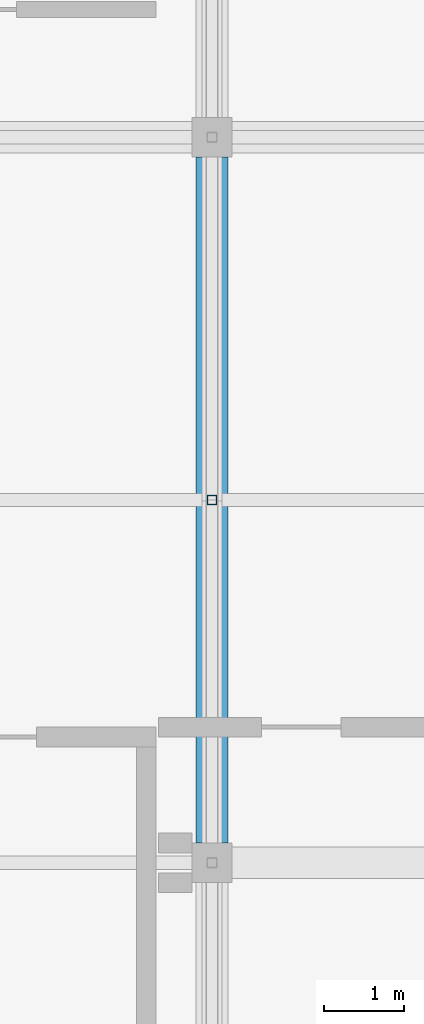
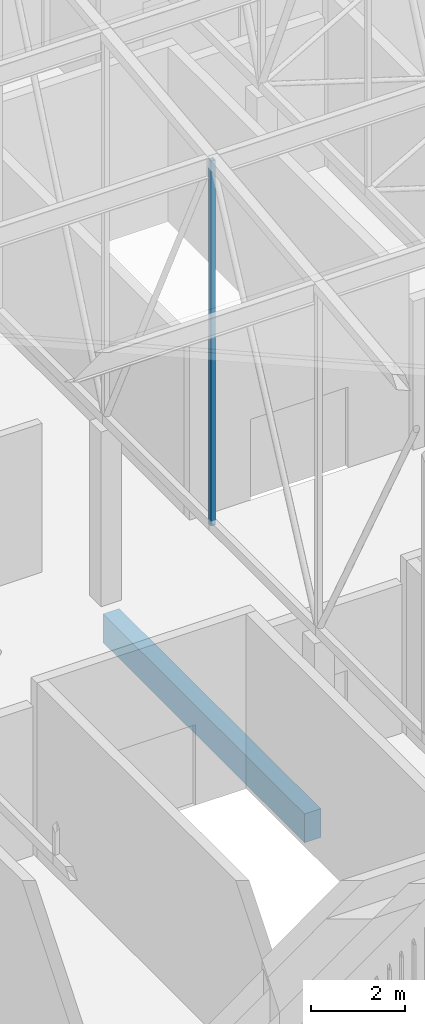
# One storey, part 337 of 500: 1 beam, 1 member.
"""IFC4 building model written with IfcOpenShell, lengths in metres."""

from ifc_helpers import new_model, si_unit, direction, frame, origin, origin_2d, place, context, subcontext, project, spatial, rectangle, hollow_rectangle, extrude, material, material_profile, profile_set, type_object, element, save


model = new_model("IFC4")

# Units and contexts
model_context = context("Model", 3, precision=1e-05, world=origin(), true_north=direction((0.0, 1.0)))
body_context = subcontext(model_context, "Body", "Model", "MODEL_VIEW")
ifc_project = project(units=[si_unit("LENGTHUNIT", "METRE"), si_unit("AREAUNIT", "SQUARE_METRE"), si_unit("VOLUMEUNIT", "CUBIC_METRE"), si_unit("PLANEANGLEUNIT", "RADIAN"), si_unit("MASSUNIT", "GRAM", prefix="KILO")], contexts=[model_context])

# Site, building, storey
site_placement = place(None, origin())
site = spatial("IfcSite", under=ifc_project, at=site_placement, CompositionType="ELEMENT")
building_placement = place(site_placement, origin())
building = spatial("IfcBuilding", under=site, at=building_placement, Name="Shirokan Park Arena", CompositionType="ELEMENT")
storey_placement = place(building_placement, frame((0.0, 0.0, 29.1201171875)))
storey = spatial("IfcBuildingStorey", under=building, at=storey_placement, Name="L06", CompositionType="ELEMENT", Elevation=29.1201171875)

# Beam
ifc_material_1 = material(Name="Concrete C35", Category="concrete")
ifc_material_profile_1 = material_profile(ifc_material_1, rectangle(XDim=0.39990234375, YDim=0.75, at=origin_2d()), Name="400x750")
ifc_profile_set_1 = profile_set([ifc_material_profile_1], Name="Concrete C35")
beam_type = type_object("IfcBeamType", Name="RC girder 400x750", PredefinedType="BEAM", material=ifc_profile_set_1)
beam_placement = place(storey_placement, frame((127.39990234375, 9.35009765625, -0.5751953125), z_axis=(0.0, 1.0, 0.0), x_axis=(-1.0, 0.0, 0.0)))
element("IfcBeam", 1, at=beam_placement, inside=storey, type_object=beam_type, Name="Girder 15B-15C L06", PredefinedType="BEAM", context=body_context, shape_type="SweptSolid", body=[
    extrude(rectangle(XDim=0.39990234375, YDim=0.75, at=origin_2d()), origin(), (0.0, 0.0, 1.0), 8.599853515625),
])

# Member
ifc_material_2 = material(Name="Steel ASTM A500 Grade C", Category="steel")
ifc_material_profile_2 = material_profile(ifc_material_2, hollow_rectangle(XDim=0.114013671875, YDim=0.114013671875, WallThickness=0.00634765625, at=origin_2d()), Name="HSS114.3X114.3X6.4")
ifc_profile_set_2 = profile_set([ifc_material_profile_2], Name="Steel ASTM A500 Grade C")
member_type = type_object("IfcMemberType", Name="Truss post HSS114.3X114.3X6.4", PredefinedType="POST", material=ifc_profile_set_2)
member_placement = place(storey_placement, frame((127.39990234375, 13.64990234375, 4.677001953125), z_axis=(0.0, 0.0, 1.0), x_axis=(1.0, 0.0, 0.0)))
element("IfcMember", 2, at=member_placement, inside=storey, type_object=member_type, Name="Truss T15 post 6", PredefinedType="POST", context=body_context, shape_type="SweptSolid", body=[
    extrude(hollow_rectangle(XDim=0.114013671875, YDim=0.114013671875, WallThickness=0.00634765625, at=origin_2d()), origin(), (0.0, 0.0, 1.0), 9.505859375),
])

save(model, "model.ifc")
